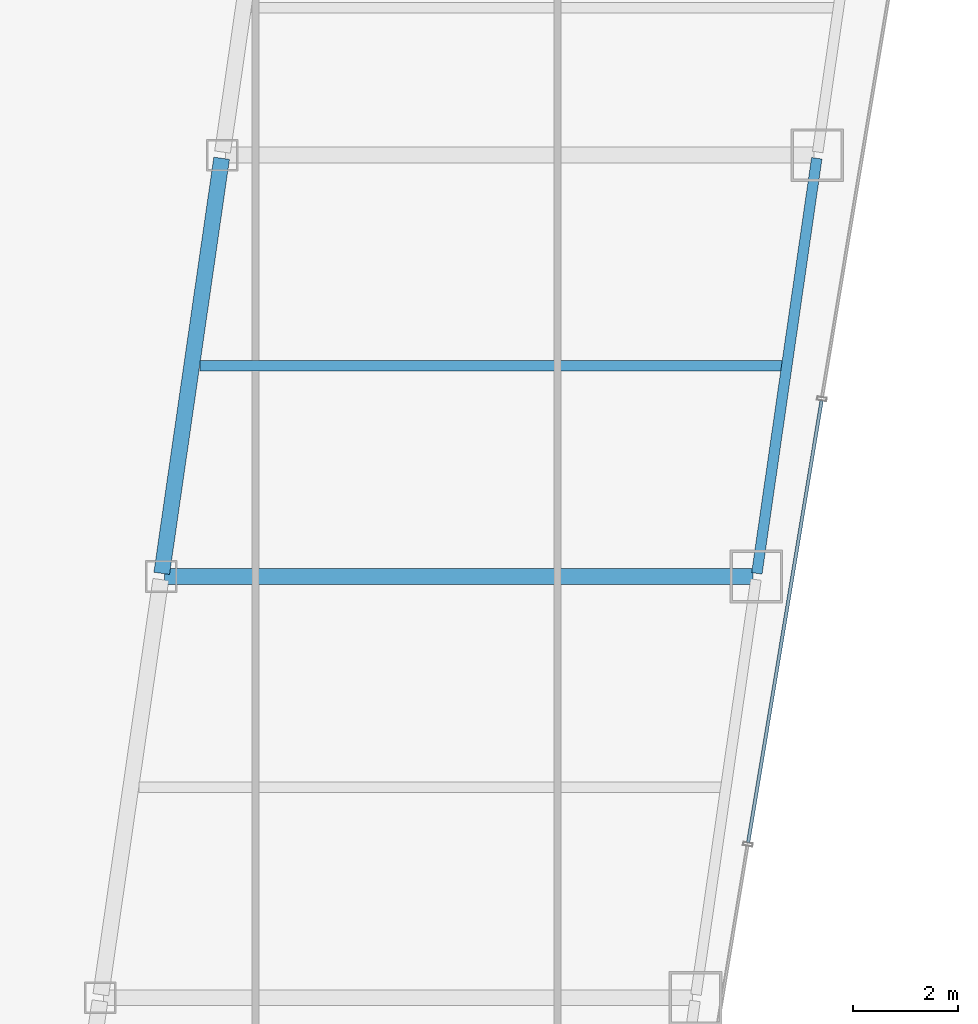
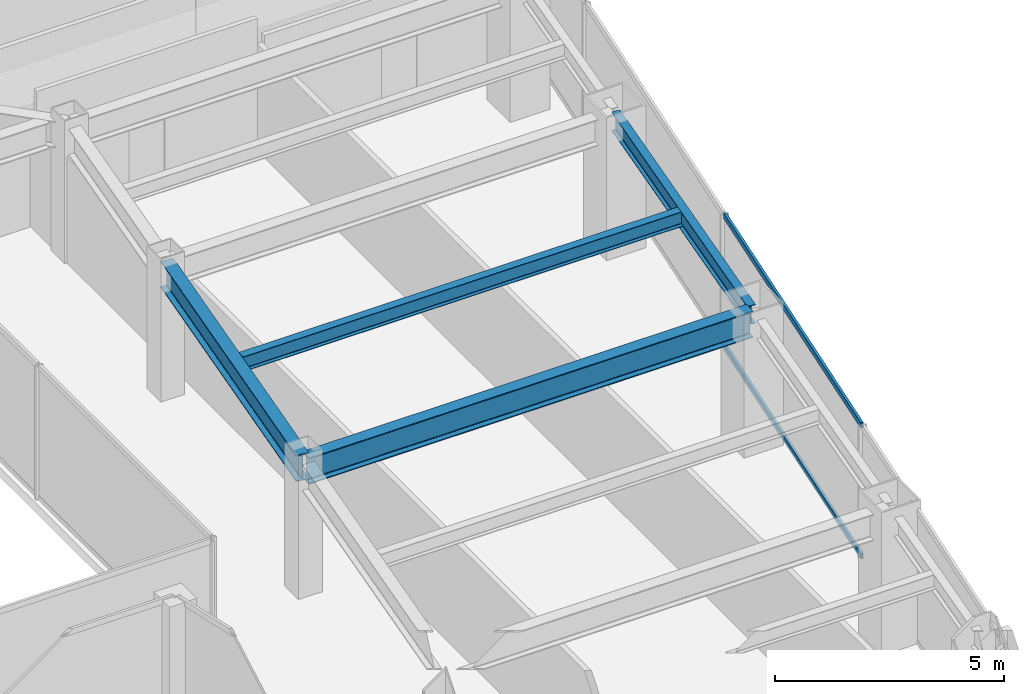
# One storey, part 21 of 40: 4 beams, 2 members, 1 element without a shape of its own.
"""IFC4 building model written with IfcOpenShell, lengths in metres."""

from ifc_helpers import new_model, si_unit, direction, frame, origin, origin_2d, place, context, subcontext, project, spatial, hollow_rectangle, i_section, extrude, material, material_profile, profile_set, type_object, element, aggregate, save


model = new_model("IFC4")

# Units and contexts
model_context = context("Model", 3, precision=1e-05, world=origin(), true_north=direction((0.0, 1.0)))
body_context = subcontext(model_context, "Body", "Model", "MODEL_VIEW")
ifc_project = project(units=[si_unit("LENGTHUNIT", "METRE"), si_unit("AREAUNIT", "SQUARE_METRE"), si_unit("VOLUMEUNIT", "CUBIC_METRE"), si_unit("PLANEANGLEUNIT", "RADIAN"), si_unit("MASSUNIT", "GRAM", prefix="KILO")], contexts=[model_context])

# Site, building, storey
site_placement = place(None, origin())
site = spatial("IfcSite", under=ifc_project, at=site_placement, CompositionType="ELEMENT")
building_placement = place(site_placement, origin())
building = spatial("IfcBuilding", under=site, at=building_placement, Name="Saevonmaru Cultural Tower", CompositionType="ELEMENT")
storey_placement = place(building_placement, frame((0.0, 0.0, 129.60009765625)))
storey = spatial("IfcBuildingStorey", under=building, at=storey_placement, Name="L27", CompositionType="ELEMENT", Elevation=129.60009765625)

# Beams
ifc_material_1 = material(Name="Steel SM355", Category="steel")
ifc_material_profile_1 = material_profile(ifc_material_1, i_section(OverallWidth=0.300048828125, OverallDepth=0.699951171875, WebThickness=0.012939453125, FlangeThickness=0.02392578125, FilletRadius=0.02587890625, at=origin_2d()), Name="H-700x300x13x24")
ifc_profile_set_1 = profile_set([ifc_material_profile_1], Name="Steel SM355")
beam_type_1 = type_object("IfcBeamType", Name="BM-G-H700", PredefinedType="BEAM", material=ifc_profile_set_1)
beam_1_placement = place(storey_placement, frame((39.236572265625, 24.059326171875, 3.199951171875), z_axis=(0.142902032203, 0.989736838353, 0.0), x_axis=(-0.989736838353, 0.142902032203, 0.0)))
element("IfcBeam", 1, at=beam_1_placement, inside=storey, type_object=beam_type_1, Name="L27 East Atrium Girder 3", PredefinedType="BEAM", context=body_context, shape_type="SweptSolid", body=[
    extrude(i_section(OverallWidth=0.300048828125, OverallDepth=0.699951171875, WebThickness=0.012939453125, FlangeThickness=0.02392578125, FilletRadius=0.02587890625, at=origin_2d()), origin(), (0.0, 0.0, 1.0), 7.963134765625),
])
beam_2_placement = place(storey_placement, frame((39.2880859375, 24.0, 3.199951171875), z_axis=(1.0, 0.0, 0.0), x_axis=(0.0, 1.0, 0.0)))
element("IfcBeam", 2, at=beam_2_placement, inside=storey, type_object=beam_type_1, Name="L27 East Wing Transverse Girder 3", PredefinedType="BEAM", context=body_context, shape_type="SweptSolid", body=[
    extrude(i_section(OverallWidth=0.300048828125, OverallDepth=0.699951171875, WebThickness=0.012939453125, FlangeThickness=0.02392578125, FilletRadius=0.02587890625, at=origin_2d()), origin(), (0.0, 0.0, 1.0), 11.179931640625),
])
ifc_material_profile_2 = material_profile(ifc_material_1, i_section(OverallWidth=0.199951171875, OverallDepth=0.39990234375, WebThickness=0.008056640625, FlangeThickness=0.012939453125, FilletRadius=0.01611328125, at=origin_2d()), Name="H-400x200x8x13")
ifc_profile_set_2 = profile_set([ifc_material_profile_2], Name="Steel SM355")
beam_type_2 = type_object("IfcBeamType", Name="BM-J-H400", PredefinedType="JOIST", material=ifc_profile_set_2)
beam_3_placement = place(storey_placement, frame((39.96337890625, 28.0, 3.349853515625), z_axis=(1.0, 0.0, 0.0), x_axis=(0.0, 1.0, 0.0)))
element("IfcBeam", 3, at=beam_3_placement, inside=storey, type_object=beam_type_2, Name="L27 East Wing Floor Joist 3", PredefinedType="JOIST", context=body_context, shape_type="SweptSolid", body=[
    extrude(i_section(OverallWidth=0.199951171875, OverallDepth=0.39990234375, WebThickness=0.008056640625, FlangeThickness=0.012939453125, FilletRadius=0.01611328125, at=origin_2d()), origin(), (0.0, 0.0, 1.0), 11.08203125),
])
ifc_material_profile_3 = material_profile(ifc_material_1, i_section(OverallWidth=0.199951171875, OverallDepth=0.5, WebThickness=0.010009765625, FlangeThickness=0.01611328125, FilletRadius=0.02001953125, at=origin_2d()), Name="H-500x200x10x16")
ifc_profile_set_3 = profile_set([ifc_material_profile_3], Name="Steel SM355")
beam_type_3 = type_object("IfcBeamType", Name="BM-SP-H500", PredefinedType="SPANDREL", material=ifc_profile_set_3)
beam_4_placement = place(storey_placement, frame((50.53662109375, 24.059326171875, 3.2998046875), z_axis=(0.142871999001, 0.989741174197, 0.0), x_axis=(-0.989741174197, 0.142871999001, 0.0)))
element("IfcBeam", 4, at=beam_4_placement, inside=storey, type_object=beam_type_3, Name="L27 East Splayed Spandrel 3", PredefinedType="SPANDREL", context=body_context, shape_type="SweptSolid", body=[
    extrude(i_section(OverallWidth=0.199951171875, OverallDepth=0.5, WebThickness=0.010009765625, FlangeThickness=0.01611328125, FilletRadius=0.02001953125, at=origin_2d()), origin(), (0.0, 0.0, 1.0), 7.963134765625),
])

# Curtain wall, members
ifc_material_2 = material(Name="Satin Bronze Anodised Aluminium", Category="aluminium")
curtain_wall_type = type_object("IfcCurtainWallType", Name="CW-SKY-GLZ", PredefinedType="NOTDEFINED", material=ifc_material_2)
curtain_wall_placement = place(storey_placement, origin())
curtain_wall = element("IfcCurtainWall", 5, at=curtain_wall_placement, inside=storey, type_object=curtain_wall_type, Name="L27 Unitised Curtain Wall E8", PredefinedType="NOTDEFINED")
ifc_material_profile_4 = material_profile(ifc_material_2, hollow_rectangle(XDim=0.06494140625, YDim=0.14990234375, WallThickness=0.00390625, at=origin_2d()), Name="ALU-TRAN-150x65x4")
ifc_profile_set_4 = profile_set([ifc_material_profile_4], Name="Satin Bronze Anodised Aluminium")
member_type = type_object("IfcMemberType", Name="TR-CW-150x65", PredefinedType="USERDEFINED", material=ifc_profile_set_4)
member_1_placement = place(storey_placement, frame((50.3720703125, 18.947509765625, 0.032470703125), z_axis=(0.164003420685, 0.986459770089, 0.0), x_axis=(-0.986459770089, 0.164003420685, 0.0)))
member_1 = element("IfcMember", 6, at=member_1_placement, type_object=member_type, Name="CW-TW-L27-E8 transom 2.1", ObjectType="TRANSOM", PredefinedType="USERDEFINED", context=body_context, shape_type="SweptSolid", body=[
    extrude(hollow_rectangle(XDim=0.06494140625, YDim=0.14990234375, WallThickness=0.00390625, at=origin_2d()), origin(), (0.0, 0.0, 1.0), 8.507568359375),
])
member_2_placement = place(storey_placement, frame((50.3720703125, 18.947509765625, 3.517333984375), z_axis=(0.164003420685, 0.986459770089, 0.0), x_axis=(-0.986459770089, 0.164003420685, 0.0)))
member_2 = element("IfcMember", 7, at=member_2_placement, type_object=member_type, Name="CW-TW-L27-E8 transom 2.2", ObjectType="TRANSOM", PredefinedType="USERDEFINED", context=body_context, shape_type="SweptSolid", body=[
    extrude(hollow_rectangle(XDim=0.06494140625, YDim=0.14990234375, WallThickness=0.00390625, at=origin_2d()), origin(), (0.0, 0.0, 1.0), 8.507568359375),
])
aggregate(curtain_wall, [member_1, member_2])

save(model, "model.ifc")
